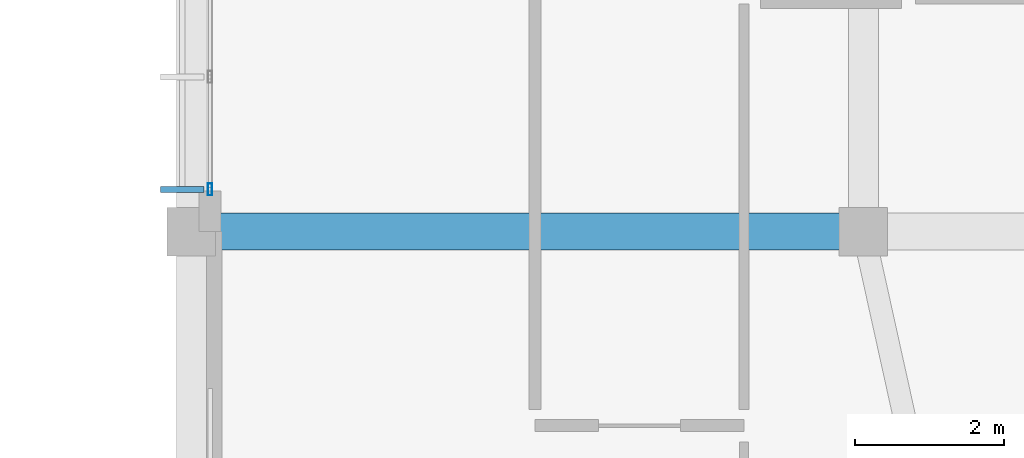
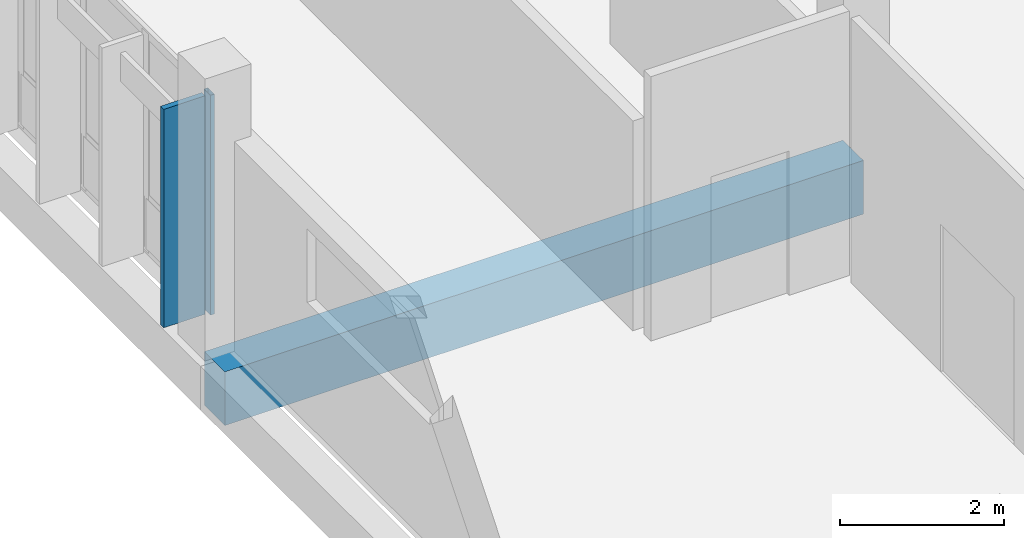
# One storey, part 52 of 182: 2 members, 1 beam, 1 element without a shape of its own.
"""IFC4 building model written with IfcOpenShell, lengths in metres."""

import ifcopenshell
import ifcopenshell.guid

model = None  # the IFC model being written
_history = None  # IfcOwnerHistory: only IFC2X3 demands one
_inside = {}  # id of a spatial element -> (the spatial element, [elements in it])
_under = {}  # id of a project, library or spatial element -> (it, [spatial elements below it])
_declared = {}  # id of a project -> (the project, [libraries it declares])
_typed = {}  # id of a type object -> (the type object, [elements of that type])
_made_of = {}  # id of a material, layer set ... -> (it, [elements and type objects made of it])


def new_model(schema):
    """Start an empty IFC model of exactly this schema.

    Asked for "IFC4X3", IfcOpenShell would pick the latest addendum, in which some entities
    have other attributes; the version numbers below select the first issue.
    IFC2X3 requires an IfcOwnerHistory on every rooted entity: one is made here for all.
    """
    global model, _history
    if schema == "IFC4X3":
        model = ifcopenshell.file(schema_version=(4, 3, 0, 0))
    else:
        model = ifcopenshell.file(schema=schema)
    _inside.clear()
    _under.clear()
    _declared.clear()
    _typed.clear()
    _made_of.clear()
    _history = None
    if model.schema == "IFC2X3":
        org = make("IfcOrganization", Name="unknown")
        user = make(
            "IfcPersonAndOrganization",
            ThePerson=make("IfcPerson", FamilyName="unknown"),
            TheOrganization=org,
        )
        app = make(
            "IfcApplication",
            ApplicationDeveloper=org,
            Version="unknown",
            ApplicationFullName="unknown",
            ApplicationIdentifier="unknown",
        )
        _history = make(
            "IfcOwnerHistory",
            OwningUser=user,
            OwningApplication=app,
            ChangeAction="ADDED",
            CreationDate=0,
        )
    return model


def make(cls, **values):
    """One entity of the class cls with the attributes given. An attribute that is None is left unset."""
    return model.create_entity(
        cls, **{name: value for name, value in values.items() if value is not None}
    )


def rooted(cls, **values):
    """An entity with a GlobalId (a new one), such as an element, a storey or a relation."""
    return make(cls, GlobalId=ifcopenshell.guid.new(), OwnerHistory=_history, **values)


def si_unit(unit_type, name, prefix=None):
    """IfcSIUnit, for example si_unit("LENGTHUNIT", "METRE", prefix="MILLI")."""
    return make("IfcSIUnit", UnitType=unit_type, Prefix=prefix, Name=name)


def assignment(units):
    """IfcUnitAssignment: the units of a project."""
    return None if units is None else make("IfcUnitAssignment", Units=units)


def point(xyz):
    """IfcCartesianPoint."""
    return None if xyz is None else make("IfcCartesianPoint", Coordinates=xyz)


def direction(xyz):
    """IfcDirection."""
    return None if xyz is None else make("IfcDirection", DirectionRatios=xyz)


def frame(location, z_axis=None, x_axis=None):
    """IfcAxis2Placement3D, a coordinate frame: its origin and axes. An axis left out is left unset."""
    return make(
        "IfcAxis2Placement3D",
        Location=point(location),
        Axis=direction(z_axis),
        RefDirection=direction(x_axis),
    )


def frame_2d(location, x_axis=None):
    """IfcAxis2Placement2D, a coordinate frame in the plane: its origin and x axis."""
    return make(
        "IfcAxis2Placement2D", Location=point(location), RefDirection=direction(x_axis)
    )


def origin():
    """The frame at (0, 0, 0) with its axes left unset."""
    return frame((0.0, 0.0, 0.0))


def origin_2d():
    """The frame at (0, 0) in the plane with its x axis left unset."""
    return frame_2d((0.0, 0.0))


def place(relative_to, where):
    """IfcLocalPlacement: puts the frame where relative to a parent placement (None: the world)."""
    return make(
        "IfcLocalPlacement", PlacementRelTo=relative_to, RelativePlacement=where
    )


def context(
    kind, dimensions, precision=None, world=None, true_north=None, identifier=None
):
    """IfcGeometricRepresentationContext, for example the 3D "Model" context."""
    return make(
        "IfcGeometricRepresentationContext",
        ContextIdentifier=identifier,
        ContextType=kind,
        CoordinateSpaceDimension=dimensions,
        Precision=precision,
        WorldCoordinateSystem=world,
        TrueNorth=true_north,
    )


def subcontext(parent, identifier, kind, view, scale=None):
    """IfcGeometricRepresentationSubContext, for example "Body" below "Model"."""
    return make(
        "IfcGeometricRepresentationSubContext",
        ContextIdentifier=identifier,
        ContextType=kind,
        ParentContext=parent,
        TargetScale=scale,
        TargetView=view,
    )


def project(units=None, contexts=None):
    """IfcProject with its units and contexts."""
    return rooted(
        "IfcProject",
        Name="project",
        RepresentationContexts=contexts,
        UnitsInContext=assignment(units),
    )


def spatial(cls, under=None, at=None, **own):
    """A site, building, storey or space (cls), placed at a placement, below another one or the project."""
    s = rooted(cls, ObjectPlacement=at, **own)
    if under is not None:
        _under.setdefault(under.id(), (under, []))[1].append(s)
    return s


def profile(cls, at=None, kind="AREA", **sizes):
    """A parametric profile (cls). Its sizes go by their IFC names, for example OverallWidth=200.0."""
    return make(cls, ProfileType=kind, Position=at, **sizes)


def rectangle(**sizes):
    """IfcRectangleProfileDef."""
    return profile("IfcRectangleProfileDef", **sizes)


def hollow_rectangle(**sizes):
    """IfcRectangleHollowProfileDef."""
    return profile("IfcRectangleHollowProfileDef", **sizes)


def extrude(swept, where, along, depth):
    """IfcExtrudedAreaSolid: the profile swept, set in the frame where, extruded along a direction by depth."""
    return make(
        "IfcExtrudedAreaSolid",
        SweptArea=swept,
        Position=where,
        ExtrudedDirection=direction(along),
        Depth=depth,
    )


def shape(context_of_items, identifier, shape_type, items):
    """IfcShapeRepresentation: the items that make up one representation, for example the "Body"."""
    return make(
        "IfcShapeRepresentation",
        ContextOfItems=context_of_items,
        RepresentationIdentifier=identifier,
        RepresentationType=shape_type,
        Items=items,
    )


def material(Name=None, Category=None):
    """IfcMaterial."""
    return make("IfcMaterial", Name=Name, Category=Category)


def material_profile(
    of_material, cross_section, Name=None, Category=None, Priority=None
):
    """IfcMaterialProfile: a cross section and its material."""
    return make(
        "IfcMaterialProfile",
        Name=Name,
        Material=of_material,
        Profile=cross_section,
        Priority=Priority,
        Category=Category,
    )


def profile_set(profiles, Name=None, composite=None):
    """IfcMaterialProfileSet."""
    return make(
        "IfcMaterialProfileSet",
        Name=Name,
        MaterialProfiles=profiles,
        CompositeProfile=composite,
    )


def made_of(thing, what):
    """Note that an element or type object is made of a material, layer set ...; save() writes the relation."""
    if what is not None:
        _made_of.setdefault(what.id(), (what, []))[1].append(thing)
    return thing


def type_object(cls, material=None, **own):
    """A type object (cls), such as IfcWallType, which elements share."""
    return made_of(rooted(cls, **own), material)


def element(
    cls,
    number,
    at=None,
    inside=None,
    cuts=None,
    type_object=None,
    material=None,
    context=None,
    identifier="Body",
    shape_type=None,
    held_by="IfcProductDefinitionShape",
    body=None,
    shapes=None,
    **own,
):
    """One element of the class cls, such as IfcWall. Its Tag is "e" and its number.

    at: its placement. inside: the storey or other place that contains it. cuts: it is an
    opening in that element (IfcRelVoidsElement). A single representation is given by context,
    identifier, shape_type and body (its items); several are given by shapes. held_by: the class
    of the entity that holds the representations. save() writes the other relations.
    """
    e = rooted(cls, Tag="e%d" % number, ObjectPlacement=at, **own)
    if body is not None:
        shapes = [shape(context, identifier, shape_type, body)]
    if shapes is not None:
        e.Representation = make(held_by, Representations=shapes)
    if inside is not None:
        _inside.setdefault(inside.id(), (inside, []))[1].append(e)
    if cuts is not None:
        rooted(
            "IfcRelVoidsElement", RelatingBuildingElement=cuts, RelatedOpeningElement=e
        )
    if type_object is not None:
        _typed.setdefault(type_object.id(), (type_object, []))[1].append(e)
    return made_of(e, material)


def aggregate(whole, parts):
    """IfcRelAggregates: a whole, such as a stair, and the parts it consists of."""
    return rooted("IfcRelAggregates", RelatingObject=whole, RelatedObjects=parts)


def save(model, path):
    """Write the relations noted so far, then the file.

    IfcRelAggregates (storeys below a building ...), IfcRelContainedInSpatialStructure (elements
    in a storey), IfcRelDefinesByType, IfcRelAssociatesMaterial and IfcRelDeclares: one each for
    every whole, place, type object, material and project.
    """
    for whole, parts in _under.values():
        aggregate(whole, parts)
    for where, things in _inside.values():
        rooted(
            "IfcRelContainedInSpatialStructure",
            RelatedElements=things,
            RelatingStructure=where,
        )
    for kind, things in _typed.values():
        rooted("IfcRelDefinesByType", RelatedObjects=things, RelatingType=kind)
    for what, things in _made_of.values():
        rooted("IfcRelAssociatesMaterial", RelatedObjects=things, RelatingMaterial=what)
    for by, libraries in _declared.values():
        rooted("IfcRelDeclares", RelatingContext=by, RelatedDefinitions=libraries)
    model.write(path)


model = new_model("IFC4")

# Units and contexts
model_context = context("Model", 3, precision=1e-05, world=origin(), true_north=direction((0.0, 1.0)))
body_context = subcontext(model_context, "Body", "Model", "MODEL_VIEW")
ifc_project = project(units=[si_unit("LENGTHUNIT", "METRE"), si_unit("AREAUNIT", "SQUARE_METRE"), si_unit("VOLUMEUNIT", "CUBIC_METRE"), si_unit("PLANEANGLEUNIT", "RADIAN"), si_unit("MASSUNIT", "GRAM", prefix="KILO")], contexts=[model_context])

# Site, building, storey
site_placement = place(None, origin())
site = spatial("IfcSite", under=ifc_project, at=site_placement, CompositionType="ELEMENT")
building_placement = place(site_placement, origin())
building = spatial("IfcBuilding", under=site, at=building_placement, Name="Chiffa Square Polytechnic", CompositionType="ELEMENT")
storey_placement = place(building_placement, frame((0.0, 0.0, 9.60009765625)))
storey = spatial("IfcBuildingStorey", under=building, at=storey_placement, Name="L02", CompositionType="ELEMENT", Elevation=9.60009765625)

# Beam
ifc_material_1 = material(Name="Concrete C40/50", Category="concrete")
ifc_material_profile_1 = material_profile(ifc_material_1, rectangle(XDim=0.5, YDim=0.800048828125, at=origin_2d()), Name="RC 500x800")
ifc_profile_set_1 = profile_set([ifc_material_profile_1], Name="Concrete C40/50")
beam_type = type_object("IfcBeamType", Name="BM-RC-500X800", PredefinedType="BEAM", material=ifc_profile_set_1)
beam_placement = place(storey_placement, frame((112.199951171875, 14.39990234375, -0.72021484375), z_axis=(1.0, 0.0, 0.0), x_axis=(0.0, 1.0, 0.0)))
element("IfcBeam", 1, at=beam_placement, inside=storey, type_object=beam_type, Name="Primary floor girder BM-V1-L02-X-1122-0144", PredefinedType="BEAM", context=body_context, shape_type="SweptSolid", body=[
    extrude(rectangle(XDim=0.5, YDim=0.800048828125, at=origin_2d()), origin(), (0.0, 0.0, 1.0), 9.0),
])

# Curtain wall, members
ifc_material_2 = material(Name="Aluminium EN AW-6060 T66 and glulam shading", Category="wood")
curtain_wall_type = type_object("IfcCurtainWallType", Name="CW-VERT-600X380", PredefinedType="USERDEFINED", material=ifc_material_2)
curtain_wall_placement = place(storey_placement, origin())
curtain_wall = element("IfcCurtainWall", 2, at=curtain_wall_placement, inside=storey, type_object=curtain_wall_type, Name="Curtain wall CW-V1-L02-132", ObjectType="CURTAIN WALL", PredefinedType="USERDEFINED")
ifc_material_3 = material(Name="Aluminium EN AW-6060 T66", Category="aluminium")
ifc_material_profile_2 = material_profile(ifc_material_3, hollow_rectangle(XDim=0.06005859375, YDim=0.159912109375, WallThickness=0.00390625, at=origin_2d()), Name="ALU 60x160x4")
ifc_profile_set_2 = profile_set([ifc_material_profile_2], Name="Aluminium EN AW-6060 T66")
member_type_1 = type_object("IfcMemberType", Name="CWM-ALU-65X150", PredefinedType="MULLION", material=ifc_profile_set_2)
member_1_placement = place(storey_placement, frame((112.449951171875, 14.965087890625, 0.0), z_axis=(0.0, 0.0, 1.0), x_axis=(1.0, 0.0, 0.0)))
member_1 = element("IfcMember", 3, at=member_1_placement, type_object=member_type_1, Name="Curtain wall mullion CW-V1-L02-132-M04", PredefinedType="MULLION", context=body_context, shape_type="SweptSolid", body=[
    extrude(hollow_rectangle(XDim=0.06005859375, YDim=0.159912109375, WallThickness=0.00390625, at=origin_2d()), origin(), (0.0, 0.0, 1.0), 3.27490234375),
])
ifc_material_4 = material(Name="Glulam GL28h", Category="wood")
ifc_material_profile_3 = material_profile(ifc_material_4, rectangle(XDim=0.080078125, YDim=0.580078125, at=origin_2d()), Name="GL28h 80x580")
ifc_profile_set_3 = profile_set([ifc_material_profile_3], Name="Glulam GL28h")
member_type_2 = type_object("IfcMemberType", Name="CWM-GL-80X580", PredefinedType="MULLION", material=ifc_profile_set_3)
member_2_placement = place(storey_placement, frame((112.077880859375, 14.965087890625, 0.010009765625), z_axis=(0.0, 0.0, 1.0), x_axis=(0.0, -1.0, 0.0)))
member_2 = element("IfcMember", 4, at=member_2_placement, type_object=member_type_2, Name="Exterior glulam solar fin CW-V1-L02-132-FN04", PredefinedType="MULLION", context=body_context, shape_type="SweptSolid", body=[
    extrude(rectangle(XDim=0.080078125, YDim=0.580078125, at=origin_2d()), origin(), (0.0, 0.0, 1.0), 3.2548828125),
])
aggregate(curtain_wall, [member_1, member_2])

save(model, "model.ifc")
